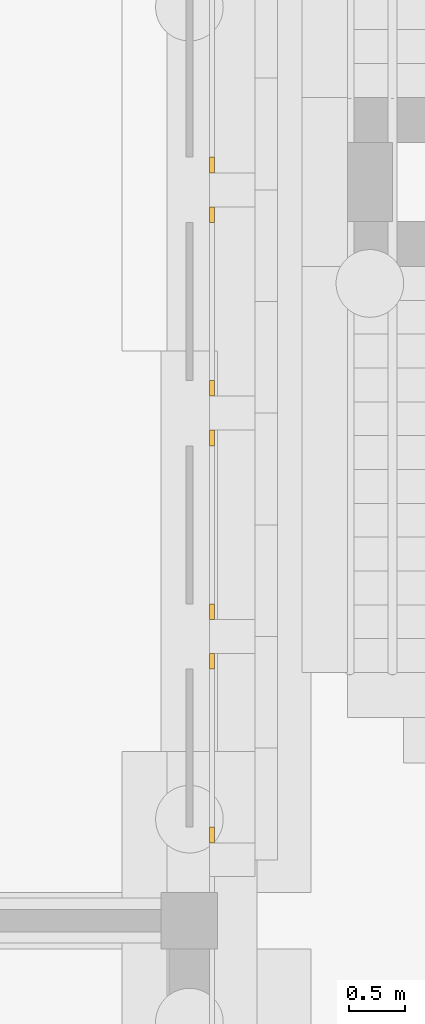
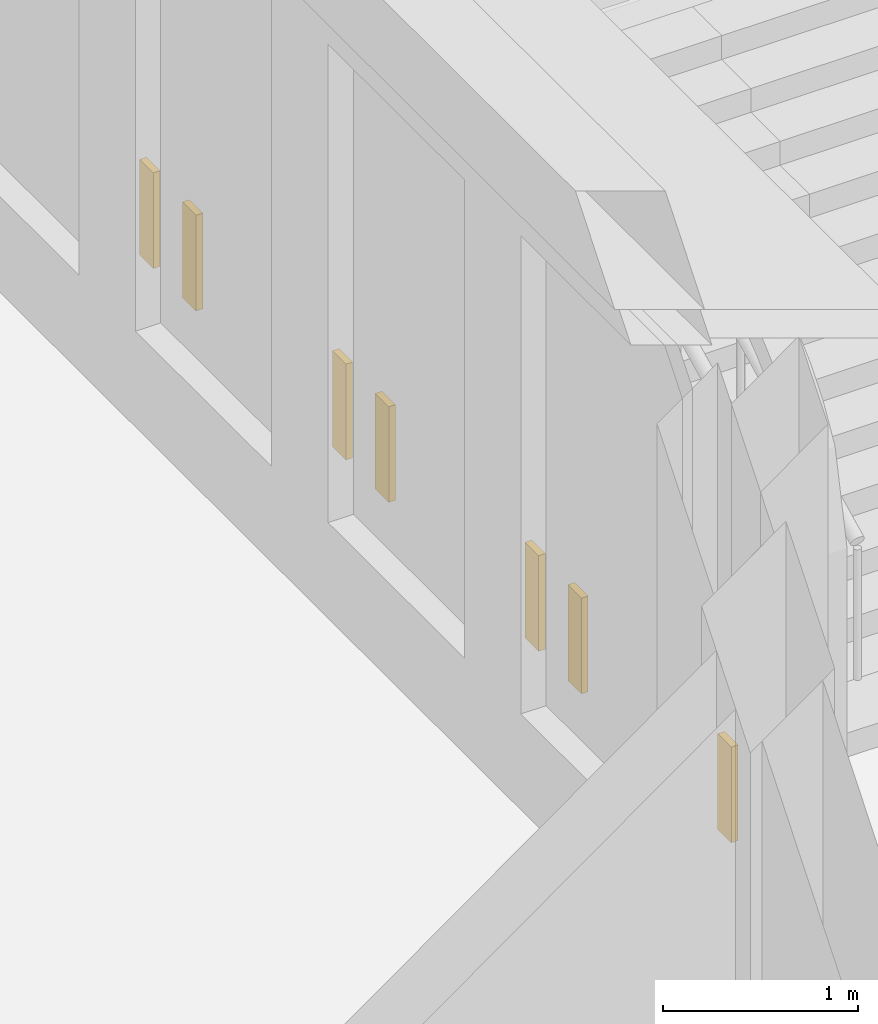
# One storey, part 154 of 161: 7 coverings.
"""IFC4 building model written with IfcOpenShell, lengths in metres."""

from ifc_helpers import new_model, si_unit, direction, frame, origin, origin_2d, place, context, subcontext, project, spatial, rectangle, extrude, material, layer, layer_set, type_object, element, save


model = new_model("IFC4")

# Units and contexts
model_context = context("Model", 3, precision=1e-05, world=origin(), true_north=direction((0.0, 1.0)))
body_context = subcontext(model_context, "Body", "Model", "MODEL_VIEW")
ifc_project = project(units=[si_unit("LENGTHUNIT", "METRE"), si_unit("AREAUNIT", "SQUARE_METRE"), si_unit("VOLUMEUNIT", "CUBIC_METRE"), si_unit("PLANEANGLEUNIT", "RADIAN"), si_unit("MASSUNIT", "GRAM", prefix="KILO")], contexts=[model_context])

# Site, building, storey
site_placement = place(None, origin())
site = spatial("IfcSite", under=ifc_project, at=site_placement, CompositionType="ELEMENT")
building_placement = place(site_placement, origin())
building = spatial("IfcBuilding", under=site, at=building_placement, Name="Elbe Cascade School", CompositionType="ELEMENT")
storey_placement = place(building_placement, origin())
storey = spatial("IfcBuildingStorey", under=building, at=storey_placement, Name="L00", CompositionType="ELEMENT", Elevation=0.0)

# Coverings
ifc_material = material(Name="Sandstone - red", Category="masonry")
ifc_layer = layer(ifc_material, 0.0400390625)
ifc_layer_set = layer_set([ifc_layer], Name="Sandstone - red")
covering_type = type_object("IfcCoveringType", Name="Bars envelope Sandstone cladding, red, 40 mm", PredefinedType="CLADDING", material=ifc_layer_set)
for number, where, z_axis, x_axis, name in (
    (1, (175.10009765625, 15.760009765625, 0.599853515625), (0.0, 0.0, 1.0), (0.0, 1.0, 0.0), "Sandstone cladding CV48 D.L00.e.2.7"),
    (2, (175.10009765625, 17.300048828125, 0.599853515625), (0.0, 0.0, 1.0), (0.0, 1.0, 0.0), "Sandstone cladding CV48 D.L00.e.2.8"),
    (3, (175.10009765625, 17.739990234375, 0.599853515625), (0.0, 0.0, 1.0), (0.0, 1.0, 0.0), "Sandstone cladding CV48 D.L00.e.2.9"),
    (4, (175.10009765625, 19.280029296875, 0.599853515625), (0.0, 0.0, 1.0), (0.0, 1.0, 0.0), "Sandstone cladding CV48 D.L00.e.2.10"),
    (5, (175.10009765625, 19.719970703125, 0.599853515625), (0.0, 0.0, 1.0), (0.0, 1.0, 0.0), "Sandstone cladding CV48 D.L00.e.2.11"),
    (6, (175.10009765625, 21.260009765625, 0.599853515625), (0.0, 0.0, 1.0), (0.0, 1.0, 0.0), "Sandstone cladding CV48 D.L00.e.2.12"),
    (7, (175.10009765625, 21.699951171875, 0.599853515625), (0.0, 0.0, 1.0), (0.0, 1.0, 0.0), "Sandstone cladding CV48 D.L00.e.2.13"),
):
    element("IfcCovering", number, at=place(storey_placement, frame(where, z_axis=z_axis, x_axis=x_axis)), inside=storey, type_object=covering_type, Name=name, PredefinedType="CLADDING", context=body_context, shape_type="SweptSolid", body=[
        extrude(rectangle(XDim=0.139892578125, YDim=0.0400390625, at=origin_2d()), origin(), (0.0, 0.0, 1.0), 0.60009765625),
    ])

save(model, "model.ifc")
